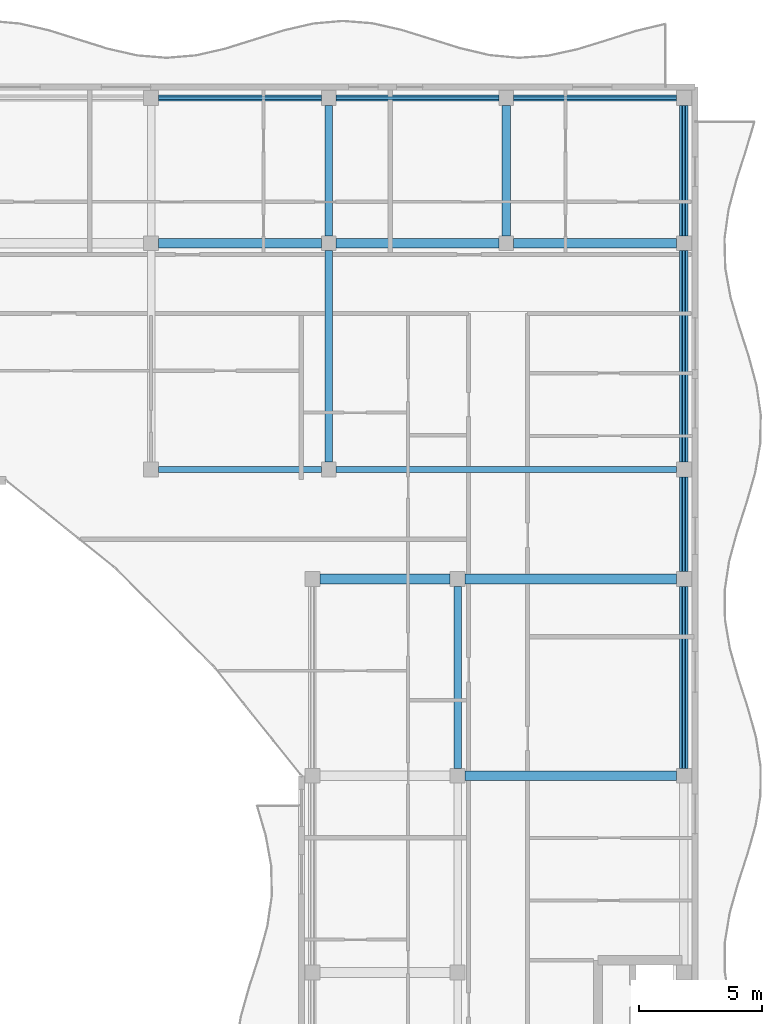
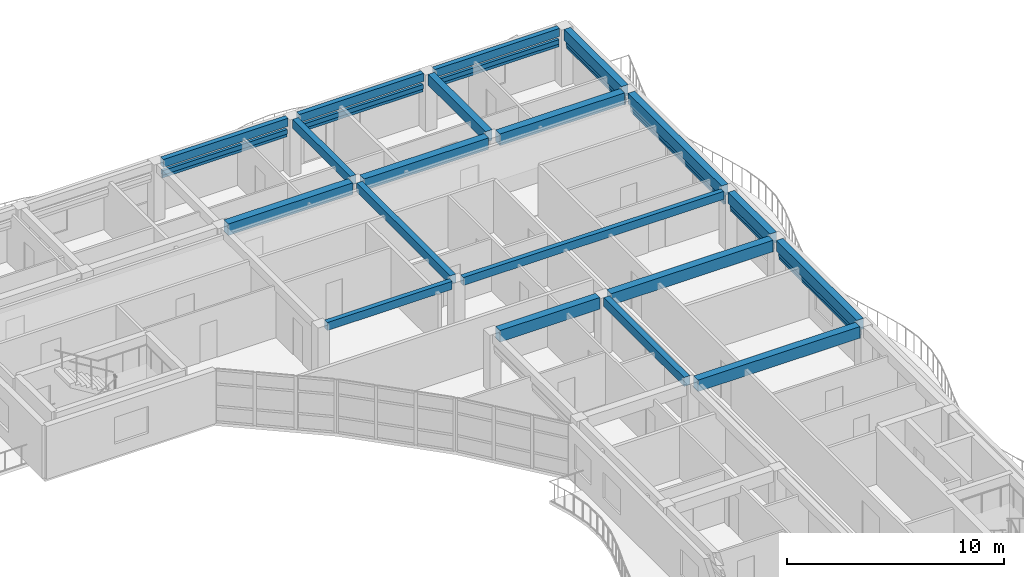
# One storey, part 22 of 76: 19 beams, 14 members.
"""IFC4 building model written with IfcOpenShell, lengths in metres."""

from ifc_helpers import new_model, si_unit, direction, frame, origin, origin_2d, place, context, subcontext, project, spatial, rectangle, hollow_rectangle, extrude, material, material_profile, profile_set, type_object, element, save


model = new_model("IFC4")

# Units and contexts
model_context = context("Model", 3, precision=1e-05, world=origin(), true_north=direction((0.0, 1.0)))
body_context = subcontext(model_context, "Body", "Model", "MODEL_VIEW")
ifc_project = project(units=[si_unit("LENGTHUNIT", "METRE"), si_unit("AREAUNIT", "SQUARE_METRE"), si_unit("VOLUMEUNIT", "CUBIC_METRE"), si_unit("PLANEANGLEUNIT", "RADIAN"), si_unit("MASSUNIT", "GRAM", prefix="KILO")], contexts=[model_context])

# Site, building, storey
site_placement = place(None, origin())
site = spatial("IfcSite", under=ifc_project, at=site_placement, CompositionType="ELEMENT")
building_placement = place(site_placement, origin())
building = spatial("IfcBuilding", under=site, at=building_placement, Name="Keldmere Railside Commons", CompositionType="ELEMENT")
storey_placement = place(building_placement, frame((0.0, 0.0, 13.760009765625)))
storey = spatial("IfcBuildingStorey", under=building, at=storey_placement, Name="L04", CompositionType="ELEMENT", Elevation=13.760009765625)

# Members
ifc_material_1 = material(Name="Steel F-36 (S355)", Category="steel")
ifc_material_profile_1 = material_profile(ifc_material_1, hollow_rectangle(XDim=0.14990234375, YDim=0.25, WallThickness=0.010009765625, at=origin_2d()), Name="RHS-250x150x10")
ifc_profile_set_1 = profile_set([ifc_material_profile_1], Name="Steel F-36 (S355)")
member_type_1 = type_object("IfcMemberType", Name="Balcony Continuous Planted Trough RHS250x150", PredefinedType="CHORD", material=ifc_profile_set_1)
for number, where, z_axis, x_axis, name in (
    (1, (162.18994140625, 115.550048828125, 2.4150390625), (1.0, 0.0, 0.0), (0.0, 1.0, 0.0), "PLT-1 MEM-BPLT-0539"),
    (2, (169.409912109375, 115.550048828125, 2.4150390625), (1.0, 0.0, 0.0), (0.0, 1.0, 0.0), "PLT-1 MEM-BPLT-0541"),
    (3, (176.6298828125, 115.550048828125, 2.4150390625), (1.0, 0.0, 0.0), (0.0, 1.0, 0.0), "PLT-1 MEM-BPLT-0543"),
):
    element("IfcMember", number, at=place(storey_placement, frame(where, z_axis=z_axis, x_axis=x_axis)), inside=storey, type_object=member_type_1, Name=name, PredefinedType="CHORD", context=body_context, shape_type="SweptSolid", body=[
        extrude(hollow_rectangle(XDim=0.14990234375, YDim=0.25, WallThickness=0.010009765625, at=origin_2d()), origin(), (0.0, 0.0, 1.0), 6.6201171875),
    ])
member_1_placement = place(storey_placement, frame((183.550048828125, 88.300048828125, 2.4150390625), z_axis=(0.0, 1.0, 0.0), x_axis=(-1.0, 0.0, 0.0)))
element("IfcMember", 4, at=member_1_placement, inside=storey, type_object=member_type_1, Name="PLT-1 MEM-BPLT-0557", PredefinedType="CHORD", context=body_context, shape_type="SweptSolid", body=[
    extrude(hollow_rectangle(XDim=0.14990234375, YDim=0.25, WallThickness=0.010009765625, at=origin_2d()), origin(), (0.0, 0.0, 1.0), 7.39990234375),
])
member_2_placement = place(storey_placement, frame((183.550048828125, 96.300048828125, 2.4150390625), z_axis=(0.0, 1.0, 0.0), x_axis=(-1.0, 0.0, 0.0)))
element("IfcMember", 5, at=member_2_placement, inside=storey, type_object=member_type_1, Name="PLT-1 MEM-BPLT-0559", PredefinedType="CHORD", context=body_context, shape_type="SweptSolid", body=[
    extrude(hollow_rectangle(XDim=0.14990234375, YDim=0.25, WallThickness=0.010009765625, at=origin_2d()), origin(), (0.0, 0.0, 1.0), 3.849853515625),
])
member_3_placement = place(storey_placement, frame((183.550048828125, 100.75, 2.4150390625), z_axis=(0.0, 1.0, 0.0), x_axis=(-1.0, 0.0, 0.0)))
element("IfcMember", 6, at=member_3_placement, inside=storey, type_object=member_type_1, Name="PLT-1 MEM-BPLT-0561", PredefinedType="CHORD", context=body_context, shape_type="SweptSolid", body=[
    extrude(hollow_rectangle(XDim=0.14990234375, YDim=0.25, WallThickness=0.010009765625, at=origin_2d()), origin(), (0.0, 0.0, 1.0), 8.60009765625),
])
member_4_placement = place(storey_placement, frame((183.550048828125, 109.949951171875, 2.4150390625), z_axis=(0.0, 1.0, 0.0), x_axis=(-1.0, 0.0, 0.0)))
element("IfcMember", 7, at=member_4_placement, inside=storey, type_object=member_type_1, Name="PLT-1 MEM-BPLT-0563", PredefinedType="CHORD", context=body_context, shape_type="SweptSolid", body=[
    extrude(hollow_rectangle(XDim=0.14990234375, YDim=0.25, WallThickness=0.010009765625, at=origin_2d()), origin(), (0.0, 0.0, 1.0), 5.300048828125),
])

# Beams
ifc_material_2 = material(Name="Architectural Precast Concrete H-35 (C35/45)", Category="concrete")
ifc_material_profile_2 = material_profile(ifc_material_2, rectangle(XDim=0.25, YDim=0.449951171875, at=origin_2d()), Name="RC-250x450")
ifc_profile_set_2 = profile_set([ifc_material_profile_2], Name="Architectural Precast Concrete H-35 (C35/45)")
beam_type_1 = type_object("IfcBeamType", Name="Perimeter Precast Spandrel Beam 250x450", PredefinedType="SPANDREL", material=ifc_profile_set_2)
beam_1_placement = place(storey_placement, frame((162.18994140625, 100.449951171875, 2.97509765625), z_axis=(1.0, 0.0, 0.0), x_axis=(0.0, 1.0, 0.0)))
element("IfcBeam", 8, at=beam_1_placement, inside=storey, type_object=beam_type_1, Name="SPB-1 BM-L04-1562", PredefinedType="SPANDREL", context=body_context, shape_type="SweptSolid", body=[
    extrude(rectangle(XDim=0.25, YDim=0.449951171875, at=origin_2d()), origin(), (0.0, 0.0, 1.0), 6.6201171875),
])
beam_2_placement = place(storey_placement, frame((169.409912109375, 100.449951171875, 2.97509765625), z_axis=(1.0, 0.0, 0.0), x_axis=(0.0, 1.0, 0.0)))
element("IfcBeam", 9, at=beam_2_placement, inside=storey, type_object=beam_type_1, Name="SPB-1 BM-L04-1563", PredefinedType="SPANDREL", context=body_context, shape_type="SweptSolid", body=[
    extrude(rectangle(XDim=0.25, YDim=0.449951171875, at=origin_2d()), origin(), (0.0, 0.0, 1.0), 13.840087890625),
])
for number, where, z_axis, x_axis, name in (
    (10, (162.18994140625, 115.550048828125, 2.97509765625), (1.0, 0.0, 0.0), (0.0, 1.0, 0.0), "SPB-1 BM-L04-1599"),
    (11, (169.409912109375, 115.550048828125, 2.97509765625), (1.0, 0.0, 0.0), (0.0, 1.0, 0.0), "SPB-1 BM-L04-1600"),
    (12, (176.6298828125, 115.550048828125, 2.97509765625), (1.0, 0.0, 0.0), (0.0, 1.0, 0.0), "SPB-1 BM-L04-1601"),
):
    element("IfcBeam", number, at=place(storey_placement, frame(where, z_axis=z_axis, x_axis=x_axis)), inside=storey, type_object=beam_type_1, Name=name, PredefinedType="SPANDREL", context=body_context, shape_type="SweptSolid", body=[
        extrude(rectangle(XDim=0.25, YDim=0.449951171875, at=origin_2d()), origin(), (0.0, 0.0, 1.0), 6.6201171875),
    ])
ifc_material_3 = material(Name="Concrete H-30 (C30/37)", Category="concrete")
ifc_material_profile_3 = material_profile(ifc_material_3, rectangle(XDim=0.35009765625, YDim=0.60009765625, at=origin_2d()), Name="RC-350x600")
ifc_profile_set_3 = profile_set([ifc_material_profile_3], Name="Concrete H-30 (C30/37)")
beam_type_2 = type_object("IfcBeamType", Name="Residential Chord RC Beam 350x600", PredefinedType="BEAM", material=ifc_profile_set_3)
beam_3_placement = place(storey_placement, frame((176.330078125, 109.949951171875, 2.89990234375), z_axis=(0.0, 1.0, 0.0), x_axis=(-1.0, 0.0, 0.0)))
element("IfcBeam", 13, at=beam_3_placement, inside=storey, type_object=beam_type_2, Name="BG-4 BM-L04-1683", PredefinedType="BEAM", context=body_context, shape_type="SweptSolid", body=[
    extrude(rectangle(XDim=0.35009765625, YDim=0.60009765625, at=origin_2d()), origin(), (0.0, 0.0, 1.0), 5.300048828125),
])
beam_4_placement = place(storey_placement, frame((183.550048828125, 88.300048828125, 2.89990234375), z_axis=(0.0, 1.0, 0.0), x_axis=(-1.0, 0.0, 0.0)))
element("IfcBeam", 14, at=beam_4_placement, inside=storey, type_object=beam_type_2, Name="BG-4 BM-L04-1686", PredefinedType="BEAM", context=body_context, shape_type="SweptSolid", body=[
    extrude(rectangle(XDim=0.35009765625, YDim=0.60009765625, at=origin_2d()), origin(), (0.0, 0.0, 1.0), 7.39990234375),
])
beam_5_placement = place(storey_placement, frame((183.550048828125, 96.300048828125, 2.89990234375), z_axis=(0.0, 1.0, 0.0), x_axis=(-1.0, 0.0, 0.0)))
element("IfcBeam", 15, at=beam_5_placement, inside=storey, type_object=beam_type_2, Name="BG-4 BM-L04-1687", PredefinedType="BEAM", context=body_context, shape_type="SweptSolid", body=[
    extrude(rectangle(XDim=0.35009765625, YDim=0.60009765625, at=origin_2d()), origin(), (0.0, 0.0, 1.0), 3.849853515625),
])
beam_6_placement = place(storey_placement, frame((183.550048828125, 100.75, 2.89990234375), z_axis=(0.0, 1.0, 0.0), x_axis=(-1.0, 0.0, 0.0)))
element("IfcBeam", 16, at=beam_6_placement, inside=storey, type_object=beam_type_2, Name="BG-4 BM-L04-1688", PredefinedType="BEAM", context=body_context, shape_type="SweptSolid", body=[
    extrude(rectangle(XDim=0.35009765625, YDim=0.60009765625, at=origin_2d()), origin(), (0.0, 0.0, 1.0), 8.60009765625),
])
beam_7_placement = place(storey_placement, frame((183.550048828125, 109.949951171875, 2.89990234375), z_axis=(0.0, 1.0, 0.0), x_axis=(-1.0, 0.0, 0.0)))
element("IfcBeam", 17, at=beam_7_placement, inside=storey, type_object=beam_type_2, Name="BG-4 BM-L04-1689", PredefinedType="BEAM", context=body_context, shape_type="SweptSolid", body=[
    extrude(rectangle(XDim=0.35009765625, YDim=0.60009765625, at=origin_2d()), origin(), (0.0, 0.0, 1.0), 5.300048828125),
])
ifc_material_profile_4 = material_profile(ifc_material_3, rectangle(XDim=0.39990234375, YDim=0.64990234375, at=origin_2d()), Name="RC-400x650")
ifc_profile_set_4 = profile_set([ifc_material_profile_4], Name="Concrete H-30 (C30/37)")
beam_type_3 = type_object("IfcBeamType", Name="Residential Spine RC Girder 400x650", PredefinedType="BEAM", material=ifc_profile_set_4)
beam_8_placement = place(storey_placement, frame((174.64990234375, 88.0, 2.875), z_axis=(1.0, 0.0, 0.0), x_axis=(0.0, 1.0, 0.0)))
element("IfcBeam", 18, at=beam_8_placement, inside=storey, type_object=beam_type_3, Name="BG-3 BM-L04-1545", PredefinedType="BEAM", context=body_context, shape_type="SweptSolid", body=[
    extrude(rectangle(XDim=0.39990234375, YDim=0.64990234375, at=origin_2d()), origin(), (0.0, 0.0, 1.0), 8.60009765625),
])
beam_9_placement = place(storey_placement, frame((168.75, 96.0, 2.875), z_axis=(1.0, 0.0, 0.0), x_axis=(0.0, 1.0, 0.0)))
element("IfcBeam", 19, at=beam_9_placement, inside=storey, type_object=beam_type_3, Name="BG-3 BM-L04-1552", PredefinedType="BEAM", context=body_context, shape_type="SweptSolid", body=[
    extrude(rectangle(XDim=0.39990234375, YDim=0.64990234375, at=origin_2d()), origin(), (0.0, 0.0, 1.0), 5.300048828125),
])
beam_10_placement = place(storey_placement, frame((174.64990234375, 96.0, 2.875), z_axis=(1.0, 0.0, 0.0), x_axis=(0.0, 1.0, 0.0)))
element("IfcBeam", 20, at=beam_10_placement, inside=storey, type_object=beam_type_3, Name="BG-3 BM-L04-1553", PredefinedType="BEAM", context=body_context, shape_type="SweptSolid", body=[
    extrude(rectangle(XDim=0.39990234375, YDim=0.64990234375, at=origin_2d()), origin(), (0.0, 0.0, 1.0), 8.60009765625),
])
for number, where, z_axis, x_axis, name in (
    (21, (162.18994140625, 109.64990234375, 2.875), (1.0, 0.0, 0.0), (0.0, 1.0, 0.0), "BG-3 BM-L04-1580"),
    (22, (169.409912109375, 109.64990234375, 2.875), (1.0, 0.0, 0.0), (0.0, 1.0, 0.0), "BG-3 BM-L04-1581"),
    (23, (176.6298828125, 109.64990234375, 2.875), (1.0, 0.0, 0.0), (0.0, 1.0, 0.0), "BG-3 BM-L04-1582"),
):
    element("IfcBeam", number, at=place(storey_placement, frame(where, z_axis=z_axis, x_axis=x_axis)), inside=storey, type_object=beam_type_3, Name=name, PredefinedType="BEAM", context=body_context, shape_type="SweptSolid", body=[
        extrude(rectangle(XDim=0.39990234375, YDim=0.64990234375, at=origin_2d()), origin(), (0.0, 0.0, 1.0), 6.6201171875),
    ])
ifc_material_profile_5 = material_profile(ifc_material_3, rectangle(XDim=0.300048828125, YDim=0.5, at=origin_2d()), Name="RC-300x500")
ifc_profile_set_5 = profile_set([ifc_material_profile_5], Name="Concrete H-30 (C30/37)")
beam_type_4 = type_object("IfcBeamType", Name="Secondary Frame RC Beam 300x500", PredefinedType="BEAM", material=ifc_profile_set_5)
beam_11_placement = place(storey_placement, frame((169.110107421875, 100.75, 2.949951171875), z_axis=(0.0, 1.0, 0.0), x_axis=(-1.0, 0.0, 0.0)))
element("IfcBeam", 24, at=beam_11_placement, inside=storey, type_object=beam_type_4, Name="BG-5 BM-L04-1676", PredefinedType="BEAM", context=body_context, shape_type="SweptSolid", body=[
    extrude(rectangle(XDim=0.300048828125, YDim=0.5, at=origin_2d()), origin(), (0.0, 0.0, 1.0), 8.60009765625),
])
beam_12_placement = place(storey_placement, frame((169.110107421875, 109.949951171875, 2.949951171875), z_axis=(0.0, 1.0, 0.0), x_axis=(-1.0, 0.0, 0.0)))
element("IfcBeam", 25, at=beam_12_placement, inside=storey, type_object=beam_type_4, Name="BG-5 BM-L04-1677", PredefinedType="BEAM", context=body_context, shape_type="SweptSolid", body=[
    extrude(rectangle(XDim=0.300048828125, YDim=0.5, at=origin_2d()), origin(), (0.0, 0.0, 1.0), 5.300048828125),
])
beam_13_placement = place(storey_placement, frame((174.35009765625, 88.300048828125, 2.949951171875), z_axis=(0.0, 1.0, 0.0), x_axis=(-1.0, 0.0, 0.0)))
element("IfcBeam", 26, at=beam_13_placement, inside=storey, type_object=beam_type_4, Name="BG-5 BM-L04-1682", PredefinedType="BEAM", context=body_context, shape_type="SweptSolid", body=[
    extrude(rectangle(XDim=0.300048828125, YDim=0.5, at=origin_2d()), origin(), (0.0, 0.0, 1.0), 7.39990234375),
])

# Members
ifc_material_profile_6 = material_profile(ifc_material_1, hollow_rectangle(XDim=0.10009765625, YDim=0.159912109375, WallThickness=0.008056640625, at=origin_2d()), Name="RHS-160x100x8")
ifc_profile_set_6 = profile_set([ifc_material_profile_6], Name="Steel F-36 (S355)")
member_type_2 = type_object("IfcMemberType", Name="Solar Brise-Soleil Louvre Fin RHS160x100", PredefinedType="STRUT", material=ifc_profile_set_6)
for number, where, z_axis, x_axis, name in (
    (27, (162.18994140625, 115.550048828125, 2.199951171875), (1.0, 0.0, 0.0), (0.0, 1.0, 0.0), "BSF-1 MEM-BSF-0540"),
    (28, (169.409912109375, 115.550048828125, 2.199951171875), (1.0, 0.0, 0.0), (0.0, 1.0, 0.0), "BSF-1 MEM-BSF-0542"),
    (29, (176.6298828125, 115.550048828125, 2.199951171875), (1.0, 0.0, 0.0), (0.0, 1.0, 0.0), "BSF-1 MEM-BSF-0544"),
):
    element("IfcMember", number, at=place(storey_placement, frame(where, z_axis=z_axis, x_axis=x_axis)), inside=storey, type_object=member_type_2, Name=name, PredefinedType="STRUT", context=body_context, shape_type="SweptSolid", body=[
        extrude(hollow_rectangle(XDim=0.10009765625, YDim=0.159912109375, WallThickness=0.008056640625, at=origin_2d()), origin(), (0.0, 0.0, 1.0), 6.6201171875),
    ])
member_5_placement = place(storey_placement, frame((183.550048828125, 88.300048828125, 2.199951171875), z_axis=(0.0, 1.0, 0.0), x_axis=(-1.0, 0.0, 0.0)))
element("IfcMember", 30, at=member_5_placement, inside=storey, type_object=member_type_2, Name="BSF-1 MEM-BSF-0558", PredefinedType="STRUT", context=body_context, shape_type="SweptSolid", body=[
    extrude(hollow_rectangle(XDim=0.10009765625, YDim=0.159912109375, WallThickness=0.008056640625, at=origin_2d()), origin(), (0.0, 0.0, 1.0), 7.39990234375),
])
member_6_placement = place(storey_placement, frame((183.550048828125, 96.300048828125, 2.199951171875), z_axis=(0.0, 1.0, 0.0), x_axis=(-1.0, 0.0, 0.0)))
element("IfcMember", 31, at=member_6_placement, inside=storey, type_object=member_type_2, Name="BSF-1 MEM-BSF-0560", PredefinedType="STRUT", context=body_context, shape_type="SweptSolid", body=[
    extrude(hollow_rectangle(XDim=0.10009765625, YDim=0.159912109375, WallThickness=0.008056640625, at=origin_2d()), origin(), (0.0, 0.0, 1.0), 3.849853515625),
])
member_7_placement = place(storey_placement, frame((183.550048828125, 100.75, 2.199951171875), z_axis=(0.0, 1.0, 0.0), x_axis=(-1.0, 0.0, 0.0)))
element("IfcMember", 32, at=member_7_placement, inside=storey, type_object=member_type_2, Name="BSF-1 MEM-BSF-0562", PredefinedType="STRUT", context=body_context, shape_type="SweptSolid", body=[
    extrude(hollow_rectangle(XDim=0.10009765625, YDim=0.159912109375, WallThickness=0.008056640625, at=origin_2d()), origin(), (0.0, 0.0, 1.0), 8.60009765625),
])
member_8_placement = place(storey_placement, frame((183.550048828125, 109.949951171875, 2.199951171875), z_axis=(0.0, 1.0, 0.0), x_axis=(-1.0, 0.0, 0.0)))
element("IfcMember", 33, at=member_8_placement, inside=storey, type_object=member_type_2, Name="BSF-1 MEM-BSF-0564", PredefinedType="STRUT", context=body_context, shape_type="SweptSolid", body=[
    extrude(hollow_rectangle(XDim=0.10009765625, YDim=0.159912109375, WallThickness=0.008056640625, at=origin_2d()), origin(), (0.0, 0.0, 1.0), 5.300048828125),
])

save(model, "model.ifc")
